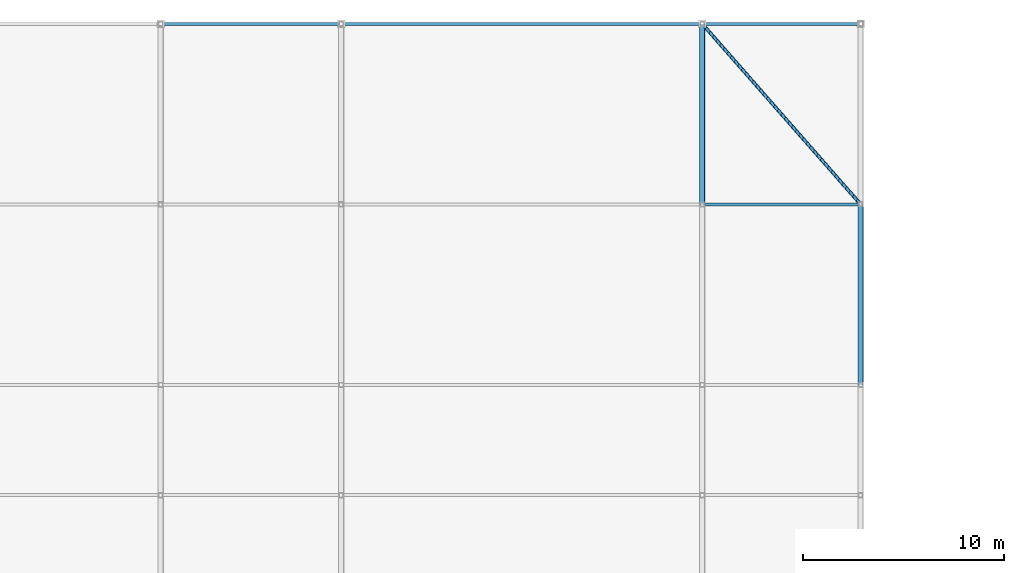
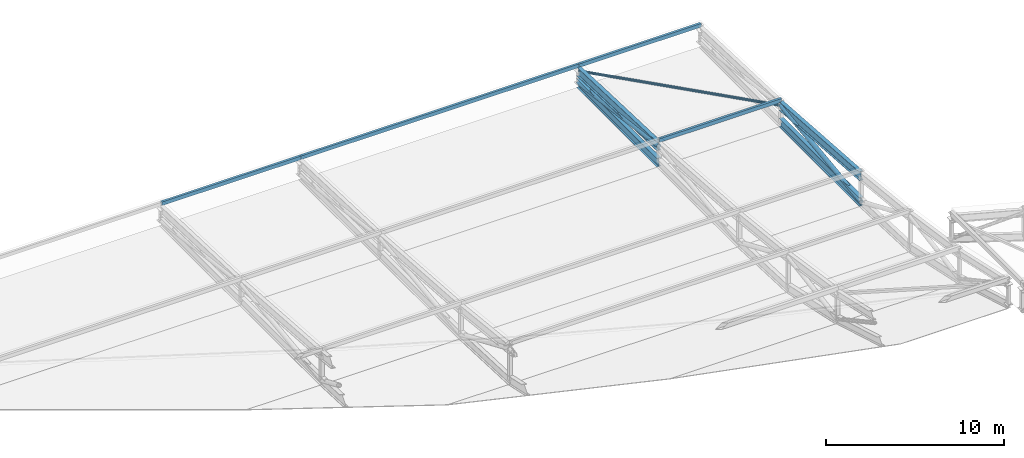
# One storey, part 75 of 114: 7 members, 4 beams.
"""IFC4 building model written with IfcOpenShell, lengths in metres."""

from ifc_helpers import new_model, si_unit, direction, frame, origin, origin_2d, place, context, subcontext, project, spatial, hollow_rectangle, hollow_circle, i_section, extrude, material, material_profile, profile_set, type_object, element, save


model = new_model("IFC4")

# Units and contexts
model_context = context("Model", 3, precision=1e-05, world=origin(), true_north=direction((0.0, 1.0)))
body_context = subcontext(model_context, "Body", "Model", "MODEL_VIEW")
ifc_project = project(units=[si_unit("LENGTHUNIT", "METRE"), si_unit("AREAUNIT", "SQUARE_METRE"), si_unit("VOLUMEUNIT", "CUBIC_METRE"), si_unit("PLANEANGLEUNIT", "RADIAN"), si_unit("MASSUNIT", "GRAM", prefix="KILO"), si_unit("THERMODYNAMICTEMPERATUREUNIT", "KELVIN"), si_unit("POWERUNIT", "WATT")], contexts=[model_context])

# Site, building, storey
site_placement = place(None, origin())
site = spatial("IfcSite", under=ifc_project, at=site_placement, CompositionType="ELEMENT")
building_placement = place(site_placement, origin())
building = spatial("IfcBuilding", under=site, at=building_placement, Name="Sindhuravela Promenade Stadium", CompositionType="ELEMENT")
storey_placement = place(building_placement, frame((0.0, 0.0, 24.0)))
storey = spatial("IfcBuildingStorey", under=building, at=storey_placement, Name="L05", CompositionType="ELEMENT", Elevation=24.0)

# Beams
ifc_material = material(Name="Steel E350 (IS 2062 E350BR)", Category="steel")
ifc_material_profile_1 = material_profile(ifc_material, i_section(OverallWidth=0.25, OverallDepth=0.60009765625, WebThickness=0.01171875, FlangeThickness=0.023681640625, FilletRadius=0.01708984375, at=origin_2d()), Name="ISWB 600")
ifc_profile_set_1 = profile_set([ifc_material_profile_1], Name="Steel E350 (IS 2062 E350BR)")
beam_type = type_object("IfcBeamType", Name="ST-BM-WB600", PredefinedType="USERDEFINED", material=ifc_profile_set_1)
beam_1_placement = place(storey_placement, frame((153.0, 153.0, 0.800048828125), z_axis=(0.0, -0.9993399990381225, 0.03632583546850814), x_axis=(1.0, 0.0, 0.0)))
element("IfcBeam", 1, at=beam_1_placement, inside=storey, type_object=beam_type, Name="Roof truss RT-N08 top chord 1", ObjectType="ROOF TRUSS", PredefinedType="USERDEFINED", context=body_context, shape_type="SweptSolid", body=[
    extrude(i_section(OverallWidth=0.25, OverallDepth=0.60009765625, WebThickness=0.01171875, FlangeThickness=0.023681640625, FilletRadius=0.01708984375, at=origin_2d()), origin(), (0.0, 0.0, 1.0), 9.005859375),
])
beam_2_placement = place(storey_placement, frame((153.0, 153.0, 0.0), z_axis=(0.0, -1.0, 0.0), x_axis=(1.0, 0.0, 0.0)))
element("IfcBeam", 2, at=beam_2_placement, inside=storey, type_object=beam_type, Name="Roof truss RT-N08 bottom chord 1", ObjectType="ROOF TRUSS", PredefinedType="USERDEFINED", context=body_context, shape_type="SweptSolid", body=[
    extrude(i_section(OverallWidth=0.25, OverallDepth=0.60009765625, WebThickness=0.01171875, FlangeThickness=0.023681640625, FilletRadius=0.01708984375, at=origin_2d()), origin(), (0.0, 0.0, 1.0), 9.0),
])
beam_3_placement = place(storey_placement, frame((160.89990234375, 144.0, 1.127197265625), z_axis=(0.0, -0.9975125305940163, 0.07048937017679613), x_axis=(1.0, 0.0, 0.0)))
element("IfcBeam", 3, at=beam_3_placement, inside=storey, type_object=beam_type, Name="Roof truss RT-N09 top chord 2", ObjectType="ROOF TRUSS", PredefinedType="USERDEFINED", context=body_context, shape_type="SweptSolid", body=[
    extrude(i_section(OverallWidth=0.25, OverallDepth=0.60009765625, WebThickness=0.01171875, FlangeThickness=0.023681640625, FilletRadius=0.01708984375, at=origin_2d()), origin(), (0.0, 0.0, 1.0), 9.0224609375),
])
beam_4_placement = place(storey_placement, frame((160.89990234375, 144.0, 0.0), z_axis=(0.0, -1.0, 0.0), x_axis=(1.0, 0.0, 0.0)))
element("IfcBeam", 4, at=beam_4_placement, inside=storey, type_object=beam_type, Name="Roof truss RT-N09 bottom chord 2", ObjectType="ROOF TRUSS", PredefinedType="USERDEFINED", context=body_context, shape_type="SweptSolid", body=[
    extrude(i_section(OverallWidth=0.25, OverallDepth=0.60009765625, WebThickness=0.01171875, FlangeThickness=0.023681640625, FilletRadius=0.01708984375, at=origin_2d()), origin(), (0.0, 0.0, 1.0), 9.0),
])

# Members
ifc_material_profile_2 = material_profile(ifc_material, hollow_circle(Radius=0.084228515625, WallThickness=0.008056640625, at=origin_2d()), Name="CHS 168.3x8")
ifc_profile_set_2 = profile_set([ifc_material_profile_2], Name="Steel E350 (IS 2062 E350BR)")
member_type_1 = type_object("IfcMemberType", Name="ST-MB-CHS168", PredefinedType="BRACE", material=ifc_profile_set_2)
member_1_placement = place(storey_placement, frame((153.0, 153.0, 0.800048828125), z_axis=(0.6594355315884876, -0.7512649556980656, 0.027308350711680987), x_axis=(0.7515452388976814, 0.6596815549113274, 0.0)))
element("IfcMember", 5, at=member_1_placement, inside=storey, type_object=member_type_1, Name="Roof wind brace MB03 N bay 8", PredefinedType="BRACE", context=body_context, shape_type="SweptSolid", body=[
    extrude(hollow_circle(Radius=0.084228515625, WallThickness=0.008056640625, at=origin_2d()), origin(), (0.0, 0.0, 1.0), 11.979736328125),
])
ifc_material_profile_3 = material_profile(ifc_material, hollow_circle(Radius=0.136474609375, WallThickness=0.010009765625, at=origin_2d()), Name="CHS 273.0x10")
ifc_profile_set_3 = profile_set([ifc_material_profile_3], Name="Steel E350 (IS 2062 E350BR)")
member_type_2 = type_object("IfcMemberType", Name="ST-MB-CHS273", PredefinedType="BRACE", material=ifc_profile_set_3)
for number, where, z_axis, x_axis, name in (
    (6, (153.0, 153.0, 0.0), (0.0, -0.9922480329009012, 0.12427325216752011), (1.0, 0.0, 0.0), "Roof truss RT-N08 diagonal web 1"),
    (7, (160.89990234375, 144.0, 1.127197265625), (0.0, -0.9922480329009012, -0.12427325216752011), (1.0, 0.0, 0.0), "Roof truss RT-N09 diagonal web 2"),
):
    element("IfcMember", number, at=place(storey_placement, frame(where, z_axis=z_axis, x_axis=x_axis)), inside=storey, type_object=member_type_2, Name=name, PredefinedType="BRACE", context=body_context, shape_type="SweptSolid", body=[
        extrude(hollow_circle(Radius=0.136474609375, WallThickness=0.010009765625, at=origin_2d()), origin(), (0.0, 0.0, 1.0), 9.0703125),
    ])
ifc_material_profile_4 = material_profile(ifc_material, hollow_rectangle(XDim=0.14990234375, YDim=0.25, WallThickness=0.010009765625, at=origin_2d()), Name="RHS 250x150x10")
ifc_profile_set_4 = profile_set([ifc_material_profile_4], Name="Steel E350 (IS 2062 E350BR)")
member_type_3 = type_object("IfcMemberType", Name="ST-MB-RHS250", PredefinedType="PURLIN", material=ifc_profile_set_4)
member_2_placement = place(storey_placement, frame((126.0, 153.0, 1.19189453125), z_axis=(1.0, 0.0, 0.0), x_axis=(0.0, 1.0, 0.0)))
element("IfcMember", 8, at=member_2_placement, inside=storey, type_object=member_type_3, Name="Roof purlin PR01 N bay 6.1", PredefinedType="PURLIN", context=body_context, shape_type="SweptSolid", body=[
    extrude(hollow_rectangle(XDim=0.14990234375, YDim=0.25, WallThickness=0.010009765625, at=origin_2d()), origin(), (0.0, 0.0, 1.0), 9.0),
])
member_3_placement = place(storey_placement, frame((135.0, 153.0, 1.19189453125), z_axis=(1.0, 0.0, 0.0), x_axis=(0.0, 1.0, 0.0)))
element("IfcMember", 9, at=member_3_placement, inside=storey, type_object=member_type_3, Name="Roof purlin PR01 N bay 7.1", PredefinedType="PURLIN", context=body_context, shape_type="SweptSolid", body=[
    extrude(hollow_rectangle(XDim=0.14990234375, YDim=0.25, WallThickness=0.010009765625, at=origin_2d()), origin(), (0.0, 0.0, 1.0), 18.0),
])
for number, where, z_axis, x_axis, name in (
    (10, (153.0, 153.0, 1.19189453125), (1.0, 0.0, 0.0), (0.0, 1.0, 0.0), "Roof purlin PR01 N bay 8.1"),
    (11, (153.0, 144.0, 1.51904296875), (1.0, 0.0, 0.0), (0.0, 1.0, 0.0), "Roof purlin PR01 N bay 8.2"),
):
    element("IfcMember", number, at=place(storey_placement, frame(where, z_axis=z_axis, x_axis=x_axis)), inside=storey, type_object=member_type_3, Name=name, PredefinedType="PURLIN", context=body_context, shape_type="SweptSolid", body=[
        extrude(hollow_rectangle(XDim=0.14990234375, YDim=0.25, WallThickness=0.010009765625, at=origin_2d()), origin(), (0.0, 0.0, 1.0), 7.89990234375),
    ])

save(model, "model.ifc")
